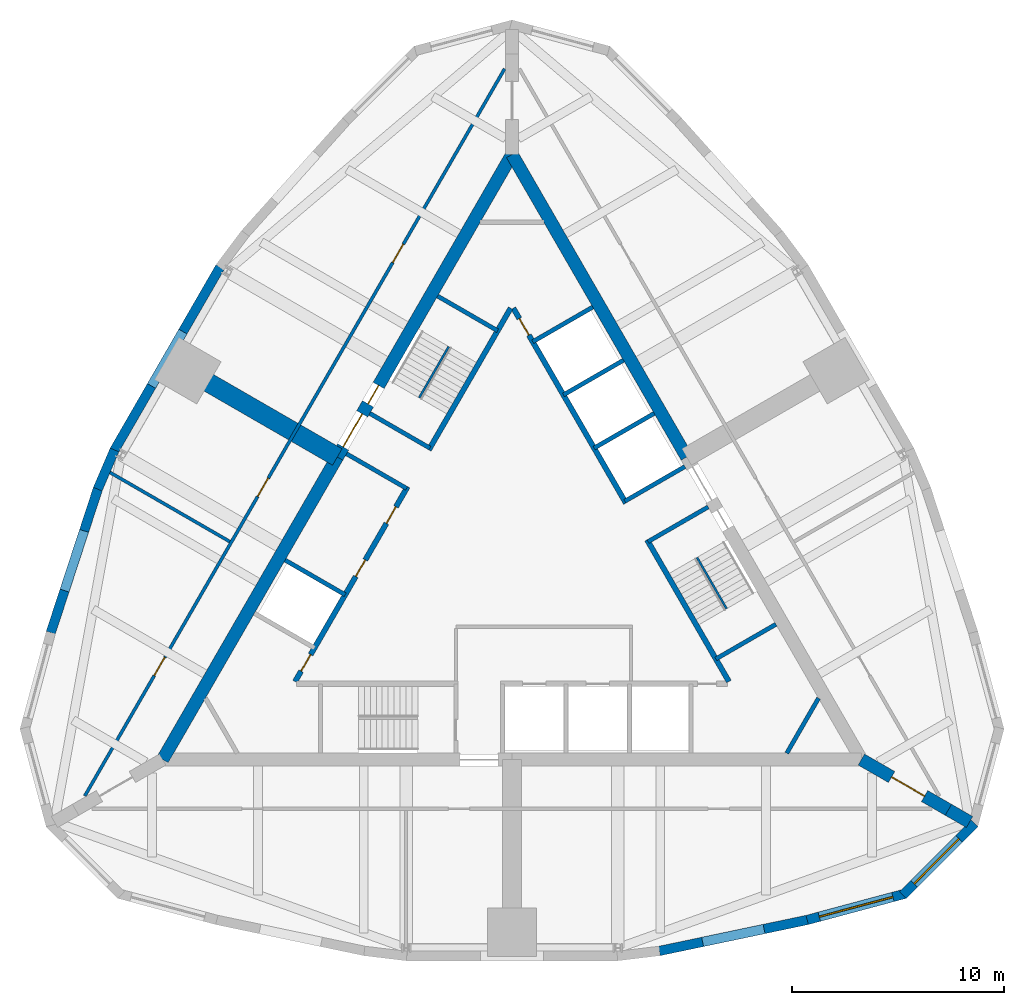
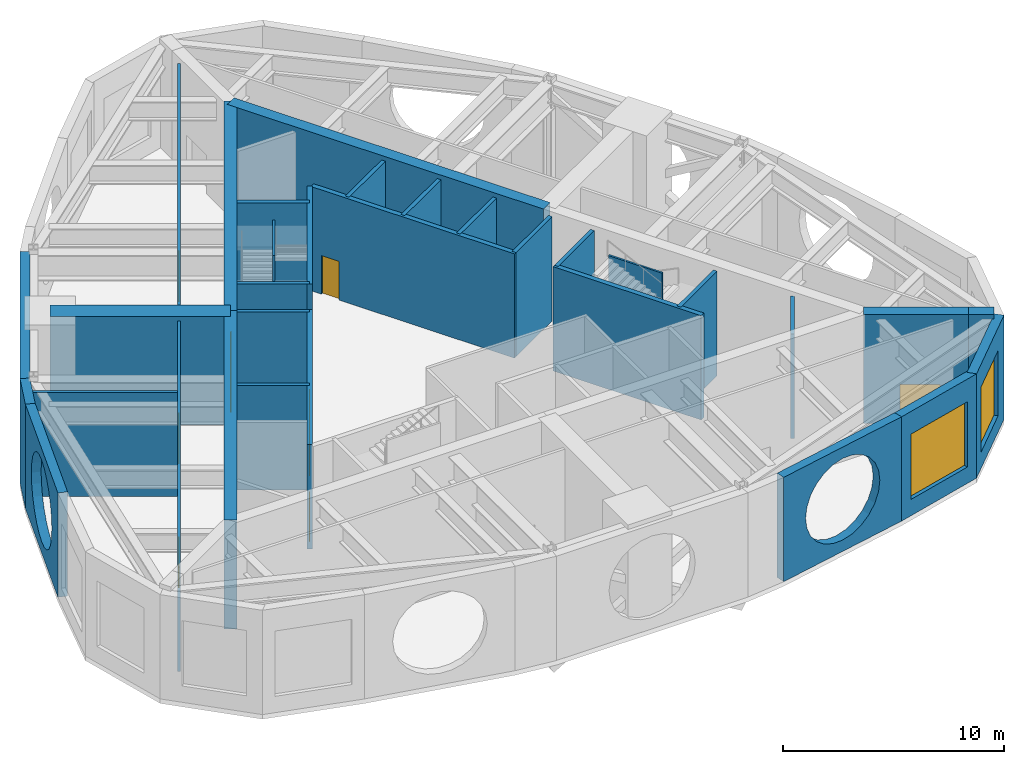
# One storey, part 3 of 6: 31 walls, 10 doors, 2 windows, 12 openings.
"""IFC4 building model written with IfcOpenShell, lengths in metres."""

from ifc_helpers import new_model, si_unit, direction, frame, frame_2d, origin, place, context, subcontext, project, spatial, polyline, rectangle, outline, extrude, material, layer, layer_set, type_object, element, fill, save


model = new_model("IFC4")

# Units and contexts
model_context = context("Model", 3, precision=1e-05, world=origin(), true_north=direction((0.0, 1.0)))
body_context = subcontext(model_context, "Body", "Model", "MODEL_VIEW")
ifc_project = project(units=[si_unit("LENGTHUNIT", "METRE"), si_unit("AREAUNIT", "SQUARE_METRE"), si_unit("VOLUMEUNIT", "CUBIC_METRE"), si_unit("PLANEANGLEUNIT", "RADIAN"), si_unit("MASSUNIT", "GRAM", prefix="KILO")], contexts=[model_context])

# Site, building, storey
site_placement = place(None, origin())
site = spatial("IfcSite", under=ifc_project, at=site_placement, CompositionType="ELEMENT")
building_placement = place(site_placement, origin())
building = spatial("IfcBuilding", under=site, at=building_placement, Name="Trikona Tower", CompositionType="ELEMENT")
storey_placement = place(building_placement, frame((0.0, 0.0, 275.300048828125)))
storey = spatial("IfcBuildingStorey", under=building, at=storey_placement, Name="L73", CompositionType="ELEMENT", Elevation=275.300048828125)

# Wall, opening, window
ifc_material_1 = material(Name="Brick-faced precast concrete", Category="masonry")
ifc_layer_1 = layer(ifc_material_1, 0.449951171875)
ifc_layer_set_1 = layer_set([ifc_layer_1], Name="Brick-faced corner wall 450")
wall_type_1 = type_object("IfcWallType", Name="Brick-faced corner wall 450", PredefinedType="SOLIDWALL", material=ifc_layer_set_1)
wall_1_placement = place(storey_placement, frame((13.94189453125, -17.103271484375, 0.0), z_axis=(0.0, 0.0, 1.0), x_axis=(0.965913862671, 0.258863689806, 0.0)))
wall_1 = element("IfcWall", 1, at=wall_1_placement, inside=storey, type_object=wall_type_1, Name="External wall L73-05", PredefinedType="SOLIDWALL", context=body_context, shape_type="SweptSolid", body=[
    extrude(rectangle(XDim=4.78173828125, YDim=0.449951171875, at=frame_2d((2.390869140625, 0.0))), origin(), (0.0, 0.0, 1.0), 5.75),
])
opening_1_placement = place(wall_1_placement, frame((0.5908203125, 0.0, 0.89990234375)))
opening_1 = element("IfcOpeningElement", 2, at=opening_1_placement, cuts=wall_1, Name="Opening W3636", PredefinedType="OPENING", context=body_context, shape_type="SweptSolid", body=[
    extrude(rectangle(XDim=3.60009765625, YDim=3.60009765625, at=frame_2d((1.800048828125, 1.800048828125))), frame((0.0, 0.23486328125, 0.0), z_axis=(0.0, -1.0, 0.0), x_axis=(1.0, 0.0, 0.0)), (0.0, 0.0, 1.0), 0.469970703125),
])
ifc_material_2 = material(Name="Aluminium-framed double glazing", Category="aluminium")
window_type_1 = type_object("IfcWindowType", Name="Window 3600x3600", PartitioningType="SINGLE_PANEL", PredefinedType="WINDOW", material=ifc_material_2)
window_1_placement = place(opening_1_placement, origin())
window_1 = element("IfcWindow", 3, at=window_1_placement, inside=storey, type_object=window_type_1, Name="Window L73-RFG1", OverallHeight=3.60009765625, OverallWidth=3.60009765625, PartitioningType="SINGLE_PANEL", PredefinedType="WINDOW", context=body_context, shape_type="SweptSolid", body=[
    extrude(rectangle(XDim=3.60009765625, YDim=3.60009765625, at=frame_2d((1.800048828125, 1.800048828125))), frame((0.0, 0.030029296875, 0.0), z_axis=(0.0, -1.0, 0.0), x_axis=(1.0, 0.0, 0.0)), (0.0, 0.0, 1.0), 0.06005859375),
])
fill(opening_1, window_1)

wall_2_placement = place(storey_placement, frame((18.459716796875, -15.923828125, 0.0), z_axis=(0.0, 0.0, 1.0), x_axis=(0.707081252484, 0.707132308968, 0.0)))
wall_2 = element("IfcWall", 4, at=wall_2_placement, inside=storey, type_object=wall_type_1, Name="External wall L73-06", PredefinedType="SOLIDWALL", context=body_context, shape_type="SweptSolid", body=[
    extrude(outline(polyline([(4.78173828125, 0.22509765625), (4.722900390625, 0.22509765625), (4.37548828125, 0.1318359375), (4.3505859375, 0.22509765625), (0.0, 0.22509765625), (0.0, -0.22509765625), (4.78173828125, -0.22509765625), (4.78173828125, 0.22509765625)])), origin(), (0.0, 0.0, 1.0), 5.75),
])
opening_2_placement = place(wall_2_placement, frame((0.750244140625, 0.0, 0.89990234375)))
opening_2 = element("IfcOpeningElement", 5, at=opening_2_placement, cuts=wall_2, Name="Opening W3036", PredefinedType="OPENING", context=body_context, shape_type="SweptSolid", body=[
    extrude(rectangle(XDim=3.0, YDim=3.60009765625, at=frame_2d((1.5, 1.800048828125))), frame((0.0, 0.23486328125, 0.0), z_axis=(0.0, -1.0, 0.0), x_axis=(1.0, 0.0, 0.0)), (0.0, 0.0, 1.0), 0.469970703125),
])
ifc_material_3 = material(Name="Aluminium-framed double glazing", Category="aluminium")
window_type_2 = type_object("IfcWindowType", Name="Window 3000x3600", PartitioningType="SINGLE_PANEL", PredefinedType="WINDOW", material=ifc_material_3)
window_2_placement = place(opening_2_placement, origin())
window_2 = element("IfcWindow", 6, at=window_2_placement, inside=storey, type_object=window_type_2, Name="Window L73-RFG1", OverallHeight=3.60009765625, OverallWidth=3.0, PartitioningType="SINGLE_PANEL", PredefinedType="WINDOW", context=body_context, shape_type="SweptSolid", body=[
    extrude(rectangle(XDim=3.0, YDim=3.60009765625, at=frame_2d((1.5, 1.800048828125))), frame((0.0, 0.030029296875, 0.0), z_axis=(0.0, -1.0, 0.0), x_axis=(1.0, 0.0, 0.0)), (0.0, 0.0, 1.0), 0.06005859375),
])
fill(opening_2, window_2)

# Walls
ifc_material_4 = material(Name="Brick-faced precast concrete with louvred openings", Category="masonry")
ifc_layer_2 = layer(ifc_material_4, 0.449951171875)
ifc_layer_set_2 = layer_set([ifc_layer_2], Name="Brick-faced plant wall 450")
wall_type_2 = type_object("IfcWallType", Name="Brick-faced plant wall 450", PredefinedType="SOLIDWALL", material=ifc_layer_set_2)
wall_3_placement = place(storey_placement, frame((6.953857421875, -18.5703125, 0.0), z_axis=(0.0, 0.0, 1.0), x_axis=(0.978654320409, 0.205513311355, 0.0)))
element("IfcWall", 7, at=wall_3_placement, inside=storey, type_object=wall_type_2, Name="External wall L73-04", PredefinedType="SOLIDWALL", context=body_context, shape_type="SweptSolid", body=[
    extrude(outline(polyline([(0.0, 0.0), (7.152587890625, 0.0), (7.152587890625, 5.75), (0.0, 5.75), (0.0, 0.0)]), holes=[polyline([(5.826416015625, 2.875), (5.749755859375, 3.457275390625), (5.52490234375, 4.0), (5.167236328125, 4.466064453125), (4.701416015625, 4.823486328125), (4.15869140625, 5.04833984375), (3.576416015625, 5.125), (2.993896484375, 5.04833984375), (2.451416015625, 4.823486328125), (1.9853515625, 4.466064453125), (1.627685546875, 4.0), (1.403076171875, 3.457275390625), (1.326416015625, 2.875), (1.403076171875, 2.292724609375), (1.627685546875, 1.75), (1.9853515625, 1.283935546875), (2.451416015625, 0.92626953125), (2.993896484375, 0.70166015625), (3.576416015625, 0.625), (4.15869140625, 0.70166015625), (4.701416015625, 0.92626953125), (5.167236328125, 1.283935546875), (5.52490234375, 1.75), (5.749755859375, 2.292724609375), (5.826416015625, 2.875)])]), frame((0.0, 0.22509765625, 0.0), z_axis=(0.0, -1.0, 0.0), x_axis=(1.0, 0.0, 0.0)), (0.0, 0.0, 1.0), 0.449951171875),
])
wall_4_placement = place(storey_placement, frame((-13.785888671875, 13.73291015625, 0.0), z_axis=(0.0, 0.0, 1.0), x_axis=(-0.499993662806, -0.866029062534, 0.0)))
element("IfcWall", 8, at=wall_4_placement, inside=storey, type_object=wall_type_2, Name="External wall L73-20", PredefinedType="SOLIDWALL", context=body_context, shape_type="SweptSolid", body=[
    extrude(outline(polyline([(0.0, 0.0), (10.000244140625, 0.0), (10.000244140625, 5.75), (0.0, 5.75), (0.0, 0.0)]), holes=[polyline([(7.25, 2.875), (7.17333984375, 3.457275390625), (6.948486328125, 4.0), (6.591064453125, 4.466064453125), (6.125, 4.823486328125), (5.58251953125, 5.04833984375), (5.0, 5.125), (4.417724609375, 5.04833984375), (3.875, 4.823486328125), (3.408935546875, 4.466064453125), (3.051513671875, 4.0), (2.82666015625, 3.457275390625), (2.75, 2.875), (2.82666015625, 2.292724609375), (3.051513671875, 1.75), (3.408935546875, 1.283935546875), (3.875, 0.92626953125), (4.417724609375, 0.70166015625), (5.0, 0.625), (5.58251953125, 0.70166015625), (6.125, 0.92626953125), (6.591064453125, 1.283935546875), (6.948486328125, 1.75), (7.17333984375, 2.292724609375), (7.25, 2.875)])]), frame((0.0, 0.22509765625, 0.0), z_axis=(0.0, -1.0, 0.0), x_axis=(1.0, 0.0, 0.0)), (0.0, 0.0, 1.0), 0.449951171875),
])
wall_5_placement = place(storey_placement, frame((-18.77392578125, 5.0966796875, 0.0), z_axis=(0.0, 0.0, 1.0), x_axis=(-0.393290226175, -0.91941437774, 0.0)))
element("IfcWall", 9, at=wall_5_placement, inside=storey, type_object=wall_type_2, Name="External wall L73-21", PredefinedType="SOLIDWALL", context=body_context, shape_type="SweptSolid", body=[
    extrude(rectangle(XDim=2.014404296875, YDim=0.449951171875, at=frame_2d((1.00732421875, 0.0))), origin(), (0.0, 0.0, 1.0), 5.75),
])
wall_6_placement = place(storey_placement, frame((-19.559326171875, 3.262939453125, 0.0), z_axis=(0.0, 0.0, 1.0), x_axis=(-0.311328857048, -0.95030223759, 0.0)))
element("IfcWall", 10, at=wall_6_placement, inside=storey, type_object=wall_type_2, Name="External wall L73-22", PredefinedType="SOLIDWALL", context=body_context, shape_type="SweptSolid", body=[
    extrude(outline(polyline([(0.0, 0.0), (7.152587890625, 0.0), (7.152587890625, 5.75), (0.0, 5.75), (0.0, 0.0)]), holes=[polyline([(5.826416015625, 2.875), (5.749755859375, 3.457275390625), (5.52490234375, 4.0), (5.167236328125, 4.466064453125), (4.701416015625, 4.823486328125), (4.15869140625, 5.04833984375), (3.576416015625, 5.125), (2.993896484375, 5.04833984375), (2.451416015625, 4.823486328125), (1.9853515625, 4.466064453125), (1.627685546875, 4.0), (1.403076171875, 3.457275390625), (1.326416015625, 2.875), (1.403076171875, 2.292724609375), (1.627685546875, 1.75), (1.9853515625, 1.283935546875), (2.451416015625, 0.92626953125), (2.993896484375, 0.70166015625), (3.576416015625, 0.625), (4.15869140625, 0.70166015625), (4.701416015625, 0.92626953125), (5.167236328125, 1.283935546875), (5.52490234375, 1.75), (5.749755859375, 2.292724609375), (5.826416015625, 2.875)])]), frame((0.0, 0.22509765625, 0.0), z_axis=(0.0, -1.0, 0.0), x_axis=(1.0, 0.0, 0.0)), (0.0, 0.0, 1.0), 0.449951171875),
])

# Wall, opening, door
ifc_material_5 = material(Name="Concrete f'c 10000 psi", Category="concrete")
ifc_layer_3 = layer(ifc_material_5, 0.60009765625)
ifc_layer_set_3 = layer_set([ifc_layer_3], Name="Buttress wall 600")
wall_type_3 = type_object("IfcWallType", Name="Buttress wall 600", PredefinedType="SHEAR", material=ifc_layer_set_3)
wall_7_placement = place(storey_placement, frame((16.5, -9.5263671875, 0.0), z_axis=(0.0, 0.0, 1.0), x_axis=(0.866031398331, -0.499989616998, 0.0)))
wall_7 = element("IfcWall", 11, at=wall_7_placement, inside=storey, type_object=wall_type_3, Name="Buttress wall 1", PredefinedType="SHEAR", context=body_context, shape_type="SweptSolid", body=[
    extrude(rectangle(XDim=4.74609375, YDim=0.60009765625, at=frame_2d((2.373046875, 0.0))), origin(), (0.0, 0.0, 1.0), 6.0),
])
opening_3_placement = place(wall_7_placement, frame((1.64990234375, 0.0, 0.0)))
opening_3 = element("IfcOpeningElement", 12, at=opening_3_placement, cuts=wall_7, Name="Opening D10", PredefinedType="OPENING", context=body_context, shape_type="SweptSolid", body=[
    extrude(rectangle(XDim=1.800048828125, YDim=2.1298828125, at=frame_2d((0.89990234375, 1.06494140625))), frame((0.0, 0.31005859375, 0.0), z_axis=(0.0, -1.0, 0.0), x_axis=(1.0, 0.0, 0.0)), (0.0, 0.0, 1.0), 0.6201171875),
])
ifc_material_6 = material(Name="Hollow metal door and frame", Category="steel")
door_type_1 = type_object("IfcDoorType", Name="Cross-corridor door pair 1800x2130", OperationType="DOUBLE_DOOR_DOUBLE_SWING", PredefinedType="DOOR", material=ifc_material_6)
door_1_placement = place(opening_3_placement, origin())
door_1 = element("IfcDoor", 13, at=door_1_placement, inside=storey, type_object=door_type_1, Name="Cross-corridor door 1", OperationType="DOUBLE_DOOR_DOUBLE_SWING", OverallHeight=2.1298828125, OverallWidth=1.800048828125, PredefinedType="DOOR", context=body_context, shape_type="SweptSolid", body=[
    extrude(rectangle(XDim=1.800048828125, YDim=2.1298828125, at=frame_2d((0.89990234375, 1.06494140625))), frame((0.0, 0.02490234375, 0.0), z_axis=(0.0, -1.0, 0.0), x_axis=(1.0, 0.0, 0.0)), (0.0, 0.0, 1.0), 0.050048828125),
])
fill(opening_3, door_1)

# Walls
wall_8_placement = place(storey_placement, frame((20.6103515625, -11.8994140625, 0.0), z_axis=(0.0, 0.0, 1.0), x_axis=(0.866009537788, -0.500027479704, 0.0)))
element("IfcWall", 14, at=wall_8_placement, inside=storey, type_object=wall_type_3, Name="Buttress wall 1 part 2", PredefinedType="SHEAR", context=body_context, shape_type="SweptSolid", body=[
    extrude(rectangle(XDim=1.15478515625, YDim=0.60009765625, at=frame_2d((0.577392578125, 0.0))), origin(), (0.0, 0.0, 1.0), 6.0),
])
ifc_material_7 = material(Name="Concrete f'c 10000 psi", Category="concrete")
ifc_layer_4 = layer(ifc_material_7, 0.60009765625)
ifc_layer_set_4 = layer_set([ifc_layer_4], Name="Core wall 600")
wall_type_4 = type_object("IfcWallType", Name="Core wall 600", PredefinedType="SHEAR", material=ifc_layer_set_4)
wall_9_placement = place(storey_placement, frame((8.25, 4.76318359375, 0.0), z_axis=(0.0, 0.0, 1.0), x_axis=(-0.500002952946, 0.866023698893, 0.0)))
element("IfcWall", 15, at=wall_9_placement, inside=storey, type_object=wall_type_4, Name="Core wall B2", PredefinedType="SHEAR", context=body_context, shape_type="SweptSolid", body=[
    extrude(rectangle(XDim=16.5, YDim=0.60009765625, at=frame_2d((8.25, 0.0))), origin(), (0.0, 0.0, 1.0), 6.0),
])

# Wall, openings, doors
wall_10_placement = place(storey_placement, frame((0.0, 19.052490234375, 0.0), z_axis=(0.0, 0.0, 1.0), x_axis=(-0.500002952946, -0.866023698893, 0.0)))
wall_10 = element("IfcWall", 16, at=wall_10_placement, inside=storey, type_object=wall_type_4, Name="Core wall C1", PredefinedType="SHEAR", context=body_context, shape_type="SweptSolid", body=[
    extrude(rectangle(XDim=16.5, YDim=0.60009765625, at=frame_2d((8.25, 0.0))), origin(), (0.0, 0.0, 1.0), 6.0),
])
opening_4_placement = place(wall_10_placement, frame((14.14990234375, 0.0, 0.0)))
opening_4 = element("IfcOpeningElement", 17, at=opening_4_placement, cuts=wall_10, Name="Opening D6", PredefinedType="OPENING", context=body_context, shape_type="SweptSolid", body=[
    extrude(rectangle(XDim=1.800048828125, YDim=2.1298828125, at=frame_2d((0.89990234375, 1.06494140625))), frame((0.0, 0.31005859375, 0.0), z_axis=(0.0, -1.0, 0.0), x_axis=(1.0, 0.0, 0.0)), (0.0, 0.0, 1.0), 0.6201171875),
])
opening_5_placement = place(wall_10_placement, frame((12.60009765625, 0.0, 0.0)))
opening_5 = element("IfcOpeningElement", 18, at=opening_5_placement, cuts=wall_10, Name="Opening D5", PredefinedType="OPENING", context=body_context, shape_type="SweptSolid", body=[
    extrude(rectangle(XDim=1.0, YDim=2.1298828125, at=frame_2d((0.5, 1.06494140625))), frame((0.0, 0.31005859375, 0.0), z_axis=(0.0, -1.0, 0.0), x_axis=(1.0, 0.0, 0.0)), (0.0, 0.0, 1.0), 0.6201171875),
])
ifc_material_8 = material(Name="Hollow metal door and frame", Category="steel")
door_type_2 = type_object("IfcDoorType", Name="Lobby door pair 1800x2130", OperationType="DOUBLE_DOOR_SINGLE_SWING", PredefinedType="DOOR", material=ifc_material_8)
door_2_placement = place(opening_4_placement, origin())
door_2 = element("IfcDoor", 19, at=door_2_placement, inside=storey, type_object=door_type_2, Name="Lift lobby door C", OperationType="DOUBLE_DOOR_SINGLE_SWING", OverallHeight=2.1298828125, OverallWidth=1.800048828125, PredefinedType="DOOR", context=body_context, shape_type="SweptSolid", body=[
    extrude(rectangle(XDim=1.800048828125, YDim=2.1298828125, at=frame_2d((0.89990234375, 1.06494140625))), frame((0.0, 0.02490234375, 0.0), z_axis=(0.0, -1.0, 0.0), x_axis=(1.0, 0.0, 0.0)), (0.0, 0.0, 1.0), 0.050048828125),
])
fill(opening_4, door_2)
ifc_material_9 = material(Name="Hollow metal door and frame", Category="steel")
door_type_3 = type_object("IfcDoorType", Name="Stair door 1000x2130", OperationType="SINGLE_SWING_LEFT", PredefinedType="DOOR", material=ifc_material_9)
door_3_placement = place(opening_5_placement, origin())
door_3 = element("IfcDoor", 20, at=door_3_placement, inside=storey, type_object=door_type_3, Name="Stair C door", OperationType="SINGLE_SWING_RIGHT", OverallHeight=2.1298828125, OverallWidth=1.0, PredefinedType="DOOR", context=body_context, shape_type="SweptSolid", body=[
    extrude(rectangle(XDim=1.0, YDim=2.1298828125, at=frame_2d((0.5, 1.06494140625))), frame((0.0, 0.02490234375, 0.0), z_axis=(0.0, -1.0, 0.0), x_axis=(1.0, 0.0, 0.0)), (0.0, 0.0, 1.0), 0.050048828125),
])
fill(opening_5, door_3)

# Wall
wall_11_placement = place(storey_placement, frame((-8.25, 4.76318359375, 0.0), z_axis=(0.0, 0.0, 1.0), x_axis=(-0.499996545922, -0.866027397988, 0.0)))
element("IfcWall", 21, at=wall_11_placement, inside=storey, type_object=wall_type_4, Name="Core wall C2", PredefinedType="SHEAR", context=body_context, shape_type="SweptSolid", body=[
    extrude(rectangle(XDim=16.5, YDim=0.60009765625, at=frame_2d((8.25, 0.0))), origin(), (0.0, 0.0, 1.0), 6.0),
])

# Wall, openings, doors
ifc_material_10 = material(Name="Metal stud and gypsum board, 1-hour", Category="gypsum")
ifc_layer_5 = layer(ifc_material_10, 0.14990234375)
ifc_layer_set_5 = layer_set([ifc_layer_5], Name="Corridor wall 150")
wall_type_5 = type_object("IfcWallType", Name="Corridor wall 150", PredefinedType="PARTITIONING", material=ifc_layer_set_5)
wall_12_placement = place(storey_placement, frame((-0.35009765625, 23.09619140625, 0.0), z_axis=(0.0, 0.0, 1.0), x_axis=(-0.499998875317, -0.866026053119, 0.0)))
wall_12 = element("IfcWall", 22, at=wall_12_placement, inside=storey, type_object=wall_type_5, Name="Corridor wall L73-3", PredefinedType="PARTITIONING", context=body_context, shape_type="SweptSolid", body=[
    extrude(rectangle(XDim=39.65380859375, YDim=0.14990234375, at=frame_2d((19.826904296875, 0.0))), origin(), (0.0, 0.0, 1.0), 5.75),
])
opening_6_placement = place(wall_12_placement, frame((9.5634765625, 0.0, 0.0)))
opening_6 = element("IfcOpeningElement", 23, at=opening_6_placement, cuts=wall_12, Name="Opening D3", PredefinedType="OPENING", context=body_context, shape_type="SweptSolid", body=[
    extrude(rectangle(XDim=1.0, YDim=2.1298828125, at=frame_2d((0.5, 1.06494140625))), frame((0.0, 0.0849609375, 0.0), z_axis=(0.0, -1.0, 0.0), x_axis=(1.0, 0.0, 0.0)), (0.0, 0.0, 1.0), 0.169921875),
])
opening_7_placement = place(wall_12_placement, frame((22.326904296875, 0.0, 0.0)))
opening_7 = element("IfcOpeningElement", 24, at=opening_7_placement, cuts=wall_12, Name="Opening D3", PredefinedType="OPENING", context=body_context, shape_type="SweptSolid", body=[
    extrude(rectangle(XDim=1.0, YDim=2.1298828125, at=frame_2d((0.5, 1.06494140625))), frame((0.0, 0.0849609375, 0.0), z_axis=(0.0, -1.0, 0.0), x_axis=(1.0, 0.0, 0.0)), (0.0, 0.0, 1.0), 0.169921875),
])
opening_8_placement = place(wall_12_placement, frame((32.090576171875, 0.0, 0.0)))
opening_8 = element("IfcOpeningElement", 25, at=opening_8_placement, cuts=wall_12, Name="Opening D3", PredefinedType="OPENING", context=body_context, shape_type="SweptSolid", body=[
    extrude(rectangle(XDim=1.0, YDim=2.1298828125, at=frame_2d((0.5, 1.06494140625))), frame((0.0, 0.0849609375, 0.0), z_axis=(0.0, -1.0, 0.0), x_axis=(1.0, 0.0, 0.0)), (0.0, 0.0, 1.0), 0.169921875),
])
ifc_material_11 = material(Name="Steel door frame with solid-core timber leaf", Category="steel")
door_type_4 = type_object("IfcDoorType", Name="Room door 1000x2130", OperationType="SINGLE_SWING_LEFT", PredefinedType="DOOR", material=ifc_material_11)
door_4_placement = place(opening_6_placement, origin())
door_4 = element("IfcDoor", 26, at=door_4_placement, inside=storey, type_object=door_type_4, Name="Door Water tank room", OperationType="SINGLE_SWING_LEFT", OverallHeight=2.1298828125, OverallWidth=1.0, PredefinedType="DOOR", context=body_context, shape_type="SweptSolid", body=[
    extrude(rectangle(XDim=1.0, YDim=2.1298828125, at=frame_2d((0.5, 1.06494140625))), frame((0.0, 0.02490234375, 0.0), z_axis=(0.0, -1.0, 0.0), x_axis=(1.0, 0.0, 0.0)), (0.0, 0.0, 1.0), 0.050048828125),
])
fill(opening_6, door_4)
door_5_placement = place(opening_7_placement, origin())
door_5 = element("IfcDoor", 27, at=door_5_placement, inside=storey, type_object=door_type_4, Name="Door Booster pump plant room", OperationType="SINGLE_SWING_LEFT", OverallHeight=2.1298828125, OverallWidth=1.0, PredefinedType="DOOR", context=body_context, shape_type="SweptSolid", body=[
    extrude(rectangle(XDim=1.0, YDim=2.1298828125, at=frame_2d((0.5, 1.06494140625))), frame((0.0, 0.02490234375, 0.0), z_axis=(0.0, -1.0, 0.0), x_axis=(1.0, 0.0, 0.0)), (0.0, 0.0, 1.0), 0.050048828125),
])
fill(opening_7, door_5)
door_6_placement = place(opening_8_placement, origin())
door_6 = element("IfcDoor", 28, at=door_6_placement, inside=storey, type_object=door_type_4, Name="Door Smoke control fan plant room", OperationType="SINGLE_SWING_LEFT", OverallHeight=2.1298828125, OverallWidth=1.0, PredefinedType="DOOR", context=body_context, shape_type="SweptSolid", body=[
    extrude(rectangle(XDim=1.0, YDim=2.1298828125, at=frame_2d((0.5, 1.06494140625))), frame((0.0, 0.02490234375, 0.0), z_axis=(0.0, -1.0, 0.0), x_axis=(1.0, 0.0, 0.0)), (0.0, 0.0, 1.0), 0.050048828125),
])
fill(opening_8, door_6)

# Wall
ifc_material_12 = material(Name="Concrete f'c 8000 psi", Category="concrete")
ifc_layer_6 = layer(ifc_material_12, 0.25)
ifc_layer_set_6 = layer_set([ifc_layer_6], Name="Hub wall 250")
wall_type_6 = type_object("IfcWallType", Name="Hub wall 250", PredefinedType="SOLIDWALL", material=ifc_layer_set_6)
wall_13_placement = place(storey_placement, frame((10.245361328125, -5.843017578125, 0.0), z_axis=(0.0, 0.0, 1.0), x_axis=(-0.499993009313, 0.866029439822, 0.0)))
element("IfcWall", 29, at=wall_13_placement, inside=storey, type_object=wall_type_6, Name="Lift lobby wall B1", PredefinedType="SOLIDWALL", context=body_context, shape_type="SweptSolid", body=[
    extrude(rectangle(XDim=7.73291015625, YDim=0.25, at=frame_2d((3.866455078125, 0.0))), origin(), (0.0, 0.0, 1.0), 5.75),
])

# Wall, opening, door
wall_14_placement = place(storey_placement, frame((5.37890625, 2.5859375, 0.0), z_axis=(0.0, 0.0, 1.0), x_axis=(-0.500001375892, 0.866024609411, 0.0)))
wall_14 = element("IfcWall", 30, at=wall_14_placement, inside=storey, type_object=wall_type_6, Name="Lift lobby wall B2", PredefinedType="SOLIDWALL", context=body_context, shape_type="SweptSolid", body=[
    extrude(rectangle(XDim=10.6328125, YDim=0.25, at=frame_2d((5.31640625, 0.0))), origin(), (0.0, 0.0, 1.0), 5.75),
])
opening_9_placement = place(wall_14_placement, frame((9.1640625, 0.0, 0.0)))
opening_9 = element("IfcOpeningElement", 31, at=opening_9_placement, cuts=wall_14, Name="Opening D14", PredefinedType="OPENING", context=body_context, shape_type="SweptSolid", body=[
    extrude(rectangle(XDim=0.89990234375, YDim=2.1298828125, at=frame_2d((0.449951171875, 1.06494140625))), frame((0.0, 0.135009765625, 0.0), z_axis=(0.0, -1.0, 0.0), x_axis=(1.0, 0.0, 0.0)), (0.0, 0.0, 1.0), 0.27001953125),
])
ifc_material_13 = material(Name="Hollow metal door and frame", Category="steel")
door_type_5 = type_object("IfcDoorType", Name="Service room door 900x2130", OperationType="SINGLE_SWING_LEFT", PredefinedType="DOOR", material=ifc_material_13)
door_7_placement = place(opening_9_placement, origin())
door_7 = element("IfcDoor", 32, at=door_7_placement, inside=storey, type_object=door_type_5, Name="Door Electrical room ELR", OperationType="SINGLE_SWING_RIGHT", OverallHeight=2.1298828125, OverallWidth=0.89990234375, PredefinedType="DOOR", context=body_context, shape_type="SweptSolid", body=[
    extrude(rectangle(XDim=0.89990234375, YDim=2.1298828125, at=frame_2d((0.449951171875, 1.06494140625))), frame((0.0, 0.02490234375, 0.0), z_axis=(0.0, -1.0, 0.0), x_axis=(1.0, 0.0, 0.0)), (0.0, 0.0, 1.0), 0.050048828125),
])
fill(opening_9, door_7)

# Wall
wall_15_placement = place(storey_placement, frame((-0.0625, 11.794189453125, 0.0), z_axis=(0.0, 0.0, 1.0), x_axis=(-0.500006680225, -0.86602154692, 0.0)))
element("IfcWall", 33, at=wall_15_placement, inside=storey, type_object=wall_type_6, Name="Lift lobby wall C1", PredefinedType="SOLIDWALL", context=body_context, shape_type="SweptSolid", body=[
    extrude(rectangle(XDim=7.73291015625, YDim=0.25, at=frame_2d((3.866455078125, 0.0))), origin(), (0.0, 0.0, 1.0), 5.75),
])

# Wall, openings, doors
wall_16_placement = place(storey_placement, frame((-4.928955078125, 3.365478515625, 0.0), z_axis=(0.0, 0.0, 1.0), x_axis=(-0.499991433582, -0.866030349552, 0.0)))
wall_16 = element("IfcWall", 34, at=wall_16_placement, inside=storey, type_object=wall_type_6, Name="Lift lobby wall C2", PredefinedType="SOLIDWALL", context=body_context, shape_type="SweptSolid", body=[
    extrude(rectangle(XDim=10.633056640625, YDim=0.25, at=frame_2d((5.31640625, 0.0))), origin(), (0.0, 0.0, 1.0), 5.75),
])
opening_10_placement = place(wall_16_placement, frame((9.1640625, 0.0, 0.0)))
opening_10 = element("IfcOpeningElement", 35, at=opening_10_placement, cuts=wall_16, Name="Opening D14", PredefinedType="OPENING", context=body_context, shape_type="SweptSolid", body=[
    extrude(rectangle(XDim=0.89990234375, YDim=2.1298828125, at=frame_2d((0.449951171875, 1.06494140625))), frame((0.0, 0.135009765625, 0.0), z_axis=(0.0, -1.0, 0.0), x_axis=(1.0, 0.0, 0.0)), (0.0, 0.0, 1.0), 0.27001953125),
])
opening_11_placement = place(wall_16_placement, frame((1.10009765625, 0.0, 0.0)))
opening_11 = element("IfcOpeningElement", 36, at=opening_11_placement, cuts=wall_16, Name="Opening D14", PredefinedType="OPENING", context=body_context, shape_type="SweptSolid", body=[
    extrude(rectangle(XDim=0.89990234375, YDim=2.1298828125, at=frame_2d((0.449951171875, 1.06494140625))), frame((0.0, 0.135009765625, 0.0), z_axis=(0.0, -1.0, 0.0), x_axis=(1.0, 0.0, 0.0)), (0.0, 0.0, 1.0), 0.27001953125),
])
opening_12_placement = place(wall_16_placement, frame((4.0, 0.0, 0.0)))
opening_12 = element("IfcOpeningElement", 37, at=opening_12_placement, cuts=wall_16, Name="Opening D14", PredefinedType="OPENING", context=body_context, shape_type="SweptSolid", body=[
    extrude(rectangle(XDim=0.89990234375, YDim=2.1298828125, at=frame_2d((0.449951171875, 1.06494140625))), frame((0.0, 0.135009765625, 0.0), z_axis=(0.0, -1.0, 0.0), x_axis=(1.0, 0.0, 0.0)), (0.0, 0.0, 1.0), 0.27001953125),
])
door_8_placement = place(opening_10_placement, origin())
door_8 = element("IfcDoor", 38, at=door_8_placement, inside=storey, type_object=door_type_5, Name="Door IT and communications room ITC", OperationType="SINGLE_SWING_RIGHT", OverallHeight=2.1298828125, OverallWidth=0.89990234375, PredefinedType="DOOR", context=body_context, shape_type="SweptSolid", body=[
    extrude(rectangle(XDim=0.89990234375, YDim=2.1298828125, at=frame_2d((0.449951171875, 1.06494140625))), frame((0.0, 0.02490234375, 0.0), z_axis=(0.0, -1.0, 0.0), x_axis=(1.0, 0.0, 0.0)), (0.0, 0.0, 1.0), 0.050048828125),
])
fill(opening_10, door_8)
door_9_placement = place(opening_11_placement, origin())
door_9 = element("IfcDoor", 39, at=door_9_placement, inside=storey, type_object=door_type_5, Name="Door Plant store PST1", OperationType="SINGLE_SWING_LEFT", OverallHeight=2.1298828125, OverallWidth=0.89990234375, PredefinedType="DOOR", context=body_context, shape_type="SweptSolid", body=[
    extrude(rectangle(XDim=0.89990234375, YDim=2.1298828125, at=frame_2d((0.449951171875, 1.06494140625))), frame((0.0, 0.02490234375, 0.0), z_axis=(0.0, -1.0, 0.0), x_axis=(1.0, 0.0, 0.0)), (0.0, 0.0, 1.0), 0.050048828125),
])
fill(opening_11, door_9)
door_10_placement = place(opening_12_placement, origin())
door_10 = element("IfcDoor", 40, at=door_10_placement, inside=storey, type_object=door_type_5, Name="Door Plant store PST1", OperationType="SINGLE_SWING_RIGHT", OverallHeight=2.1298828125, OverallWidth=0.89990234375, PredefinedType="DOOR", context=body_context, shape_type="SweptSolid", body=[
    extrude(rectangle(XDim=0.89990234375, YDim=2.1298828125, at=frame_2d((0.449951171875, 1.06494140625))), frame((0.0, 0.02490234375, 0.0), z_axis=(0.0, -1.0, 0.0), x_axis=(1.0, 0.0, 0.0)), (0.0, 0.0, 1.0), 0.050048828125),
])
fill(opening_12, door_10)

# Walls
ifc_material_14 = material(Name="Concrete f'c 10000 psi", Category="concrete")
ifc_layer_7 = layer(ifc_material_14, 0.89990234375)
ifc_layer_set_7 = layer_set([ifc_layer_7], Name="Outrigger wall 900")
wall_type_7 = type_object("IfcWallType", Name="Outrigger wall 900", PredefinedType="SHEAR", material=ifc_layer_set_7)
wall_17_placement = place(storey_placement, frame((-8.25, 4.76318359375, 0.0), z_axis=(0.0, 0.0, 1.0), x_axis=(-0.866023543838, 0.500003221507, 0.0)))
element("IfcWall", 41, at=wall_17_placement, inside=storey, type_object=wall_type_7, Name="Outrigger wall 3", PredefinedType="SHEAR", context=body_context, shape_type="SweptSolid", body=[
    extrude(rectangle(XDim=8.154296875, YDim=0.89990234375, at=frame_2d((4.0771484375, 0.0))), origin(), (0.0, 0.0, 1.0), 6.0),
])
ifc_material_15 = material(Name="Metal stud and gypsum board, 1-hour acoustic", Category="gypsum")
ifc_layer_8 = layer(ifc_material_15, 0.14990234375)
ifc_layer_set_8 = layer_set([ifc_layer_8], Name="Party wall 150")
wall_type_8 = type_object("IfcWallType", Name="Party wall 150", PredefinedType="PARTITIONING", material=ifc_layer_set_8)
wall_18_placement = place(storey_placement, frame((-13.32861328125, 0.76708984375, 0.0), z_axis=(0.0, 0.0, 1.0), x_axis=(-0.866020720842, 0.500008111007, 0.0)))
element("IfcWall", 42, at=wall_18_placement, inside=storey, type_object=wall_type_8, Name="Partition L73 F3 u6", PredefinedType="PARTITIONING", context=body_context, shape_type="SweptSolid", body=[
    extrude(rectangle(XDim=6.732421875, YDim=0.14990234375, at=frame_2d((3.3662109375, 0.0))), origin(), (0.0, 0.0, 1.0), 5.75),
])
ifc_material_16 = material(Name="Concrete f'c 8000 psi", Category="concrete")
ifc_layer_9 = layer(ifc_material_16, 0.199951171875)
ifc_layer_set_9 = layer_set([ifc_layer_9], Name="Shaft wall 200")
wall_type_9 = type_object("IfcWallType", Name="Shaft wall 200", PredefinedType="SOLIDWALL", material=ifc_layer_set_9)
for number, where, z_axis, x_axis, name in (
    (43, (5.3291015625, 2.672607421875, 0.0), (0.0, 0.0, 1.0), (0.866027924134, 0.499995634601, 0.0), "Shaft wall B3"),
    (44, (3.87890625, 5.18408203125, 0.0), (0.0, 0.0, 1.0), (0.866027924134, 0.499995634601, 0.0), "Shaft wall B4"),
    (45, (2.428955078125, 7.695556640625, 0.0), (0.0, 0.0, 1.0), (0.866027924134, 0.499995634601, 0.0), "Shaft wall B5"),
    (46, (0.97900390625, 10.20703125, 0.0), (0.0, 0.0, 1.0), (0.866027924134, 0.499995634601, 0.0), "Shaft wall B6"),
    (47, (-4.97900390625, 3.27880859375, 0.0), (0.0, 0.0, 1.0), (-0.866027924134, 0.499995634601, 0.0), "Shaft wall C3"),
    (48, (-7.87890625, -1.744140625, 0.0), (0.0, 0.0, 1.0), (-0.866027924134, 0.499995634601, 0.0), "Shaft wall C5"),
):
    element("IfcWall", number, at=place(storey_placement, frame(where, z_axis=z_axis, x_axis=x_axis)), inside=storey, type_object=wall_type_9, Name=name, PredefinedType="SOLIDWALL", context=body_context, shape_type="SweptSolid", body=[
        extrude(rectangle(XDim=3.27490234375, YDim=0.199951171875, at=frame_2d((1.637451171875, 0.0))), origin(), (0.0, 0.0, 1.0), 5.75),
    ])
wall_19_placement = place(storey_placement, frame((14.479248046875, -6.626220703125, 0.0), z_axis=(0.0, 0.0, 1.0), x_axis=(-0.499952404951, -0.866052881055, 0.0)))
element("IfcWall", 49, at=wall_19_placement, inside=storey, type_object=wall_type_9, Name="Riser wall L73-RS1", PredefinedType="SOLIDWALL", context=body_context, shape_type="SweptSolid", body=[
    extrude(rectangle(XDim=3.002197265625, YDim=0.199951171875, at=frame_2d((1.5009765625, 0.0))), origin(), (0.0, 0.0, 1.0), 5.75),
])
ifc_material_17 = material(Name="Concrete f'c 8000 psi", Category="concrete")
ifc_layer_10 = layer(ifc_material_17, 0.199951171875)
ifc_layer_set_10 = layer_set([ifc_layer_10], Name="Shaft wall 200 load-bearing")
wall_type_10 = type_object("IfcWallType", Name="Shaft wall 200 load-bearing", PredefinedType="SOLIDWALL", material=ifc_layer_set_10)
wall_20_placement = place(storey_placement, frame((9.62890625, -4.775390625, 0.0), z_axis=(0.0, 0.0, 1.0), x_axis=(0.865995643347, 0.500051543047, 0.0)))
element("IfcWall", 50, at=wall_20_placement, inside=storey, type_object=wall_type_10, Name="Shaft wall B1", PredefinedType="SOLIDWALL", context=body_context, shape_type="SweptSolid", body=[
    extrude(rectangle(XDim=3.275146484375, YDim=0.199951171875, at=frame_2d((1.6376953125, 0.0))), origin(), (0.0, 0.0, 1.0), 5.75),
])
for number, where, z_axis, x_axis, name in (
    (51, (6.428955078125, 0.767333984375, 0.0), (0.0, 0.0, 1.0), (0.866027924134, 0.499995634601, 0.0), "Shaft wall B2"),
    (52, (-0.678955078125, 10.7265625, 0.0), (0.0, 0.0, 1.0), (-0.866027924134, 0.499995634601, 0.0), "Shaft wall C1"),
    (53, (-3.87890625, 5.18408203125, 0.0), (0.0, 0.0, 1.0), (-0.866027924134, 0.499995634601, 0.0), "Shaft wall C2"),
):
    element("IfcWall", number, at=place(storey_placement, frame(where, z_axis=z_axis, x_axis=x_axis)), inside=storey, type_object=wall_type_10, Name=name, PredefinedType="SOLIDWALL", context=body_context, shape_type="SweptSolid", body=[
        extrude(rectangle(XDim=3.27490234375, YDim=0.199951171875, at=frame_2d((1.637451171875, 0.0))), origin(), (0.0, 0.0, 1.0), 5.75),
    ])
ifc_material_18 = material(Name="Concrete f'c 5000 psi", Category="concrete")
ifc_layer_11 = layer(ifc_material_18, 0.10009765625)
ifc_layer_set_11 = layer_set([ifc_layer_11], Name="Stair spine wall 100")
wall_type_11 = type_object("IfcWallType", Name="Stair spine wall 100", PredefinedType="SOLIDWALL", material=ifc_layer_set_11)
for number, where, z_axis, x_axis, name in (
    (54, (10.134765625, -2.4013671875, 0.0), (0.0, 0.0, 1.0), (-0.499992232847, 0.866029888106, 0.0), "Stair B spine wall L73"),
    (55, (-2.98779296875, 9.9775390625, 0.0), (0.0, 0.0, 1.0), (-0.499992232847, -0.866029888106, 0.0), "Stair C spine wall L73"),
):
    element("IfcWall", number, at=place(storey_placement, frame(where, z_axis=z_axis, x_axis=x_axis)), inside=storey, type_object=wall_type_11, Name=name, PredefinedType="SOLIDWALL", context=body_context, shape_type="SweptSolid", body=[
        extrude(rectangle(XDim=2.7939453125, YDim=0.10009765625, at=frame_2d((1.39697265625, 0.0))), origin(), (0.0, 0.0, 1.0), 6.0),
    ])

save(model, "model.ifc")
